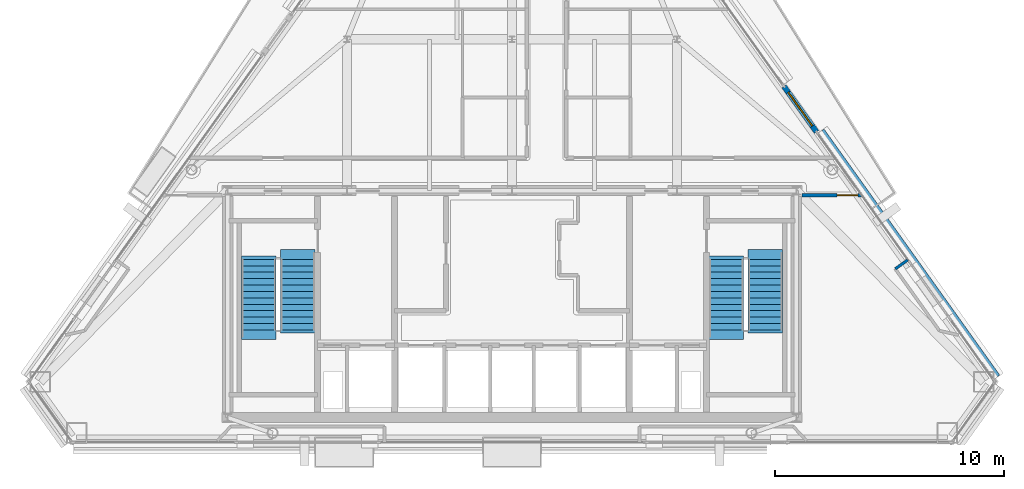
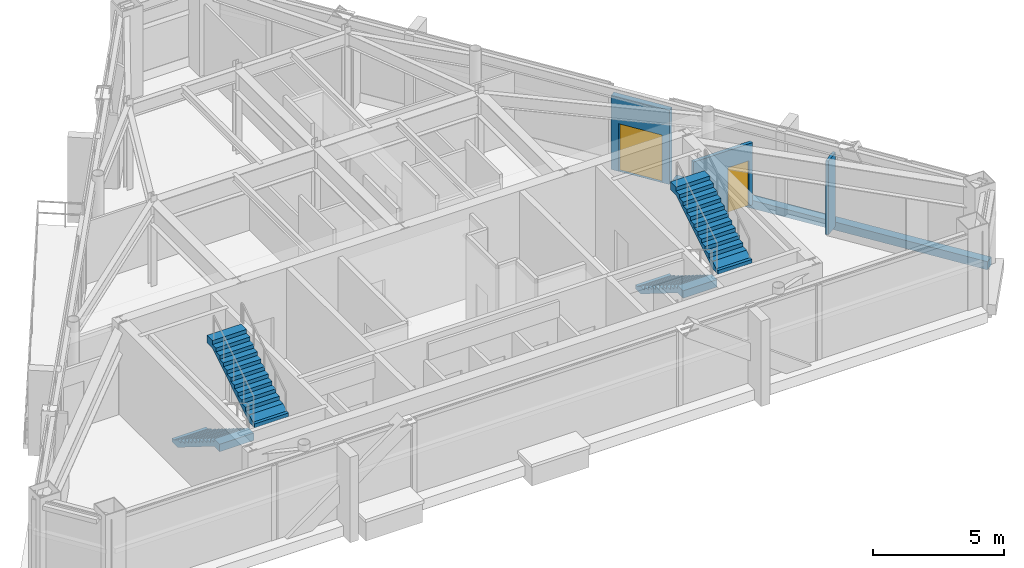
# One storey, part 10 of 12: 4 stair flights, 4 walls, 2 doors, 2 openings, 2 elements without a shape of their own.
"""IFC4 building model written with IfcOpenShell, lengths in metres."""

from ifc_helpers import new_model, si_unit, direction, frame, frame_2d, origin, place, context, subcontext, project, spatial, polyline, rectangle, outline, extrude, material, layer, layer_set, type_object, element, fill, aggregate, save


model = new_model("IFC4")

# Units and contexts
model_context = context("Model", 3, precision=1e-05, world=origin(), true_north=direction((0.0, 1.0)))
body_context = subcontext(model_context, "Body", "Model", "MODEL_VIEW")
ifc_project = project(units=[si_unit("LENGTHUNIT", "METRE"), si_unit("AREAUNIT", "SQUARE_METRE"), si_unit("VOLUMEUNIT", "CUBIC_METRE"), si_unit("PLANEANGLEUNIT", "RADIAN"), si_unit("MASSUNIT", "GRAM", prefix="KILO")], contexts=[model_context])

# Site, building, storey
site_placement = place(None, origin())
site = spatial("IfcSite", under=ifc_project, at=site_placement, CompositionType="ELEMENT")
building_placement = place(site_placement, origin())
building = spatial("IfcBuilding", under=site, at=building_placement, Name="Talgorran Terracotta Tower", CompositionType="ELEMENT")
storey_placement = place(building_placement, frame((0.0, 0.0, 285.0)))
storey = spatial("IfcBuildingStorey", under=building, at=storey_placement, Name="L75", CompositionType="ELEMENT", Elevation=285.0)

# Wall, opening, door
ifc_material_1 = material(Name="Concrete C40/50", Category="concrete")
ifc_layer_1 = layer(ifc_material_1, 0.239990234375, Name="WT_BALCONY_SPAND")
ifc_layer_set_1 = layer_set([ifc_layer_1], Name="Concrete C40/50")
wall_type_1 = type_object("IfcWallType", Name="WT_BALCONY_SPAND", PredefinedType="STANDARD", material=ifc_layer_set_1)
wall_1_placement = place(storey_placement, frame((13.28369140625, -1.641845703125, -0.014892578125), z_axis=(0.0, 0.0, 1.0), x_axis=(-0.581266589652, 0.813713187649, 0.0)))
wall_1 = element("IfcWall", 1, at=wall_1_placement, inside=storey, type_object=wall_type_1, Name="WL-L75-BALP-BAL-NE", PredefinedType="STANDARD", context=body_context, shape_type="SweptSolid", body=[
    extrude(rectangle(XDim=2.43994140625, YDim=0.239990234375, at=frame_2d((1.219970703125, 0.0))), origin(), (0.0, 0.0, 1.0), 3.452880859375),
])
opening_1_placement = place(wall_1_placement, frame((0.320068359375, 0.0, 0.014892578125)))
opening_1 = element("IfcOpeningElement", 2, at=opening_1_placement, cuts=wall_1, Name="Opening D-BAL-L75-1", PredefinedType="OPENING", context=body_context, shape_type="SweptSolid", body=[
    extrude(rectangle(XDim=1.806048828125, YDim=2.203951171875, at=frame_2d((0.89990234375, 1.10205078125))), frame((0.0, 0.1298828125, 0.0), z_axis=(0.0, -1.0, 0.0), x_axis=(1.0, 0.0, 0.0)), (0.0, 0.0, 1.0), 0.260009765625),
])
ifc_material_2 = material(Name="Thermally Broken Aluminium", Category="aluminium")
door_type_1 = type_object("IfcDoorType", Name="DT_BALC_1800", OperationType="SLIDING_TO_LEFT", PredefinedType="DOOR", material=ifc_material_2)
door_1_placement = place(opening_1_placement, origin())
door_1 = element("IfcDoor", 3, at=door_1_placement, inside=storey, type_object=door_type_1, Name="DR-L75-BAL-BAL-NE", OperationType="SLIDING_TO_LEFT", OverallHeight=2.199951171875, OverallWidth=1.800048828125, PredefinedType="DOOR", context=body_context, shape_type="SweptSolid", body=[
    extrude(rectangle(XDim=1.800048828125, YDim=2.199951171875, at=frame_2d((0.89990234375, 1.10009765625))), frame((0.0, 0.02490234375, 0.0), z_axis=(0.0, -1.0, 0.0), x_axis=(1.0, 0.0, 0.0)), (0.0, 0.0, 1.0), 0.050048828125),
])
fill(opening_1, door_1)

ifc_material_3 = material(Name="Fire-Rated Steel Stud Plasterboard", Category="steel")
ifc_layer_2 = layer(ifc_material_3, 0.14990234375, Name="WT_FIRE_150")
ifc_layer_set_2 = layer_set([ifc_layer_2], Name="Fire-Rated Steel Stud Plasterboard")
wall_type_2 = type_object("IfcWallType", Name="WT_FIRE_150", PredefinedType="PARTITIONING", material=ifc_layer_set_2)
wall_2_placement = place(storey_placement, frame((12.652099609375, -4.39990234375, 0.0), z_axis=(0.0, 0.0, 1.0), x_axis=(1.0, 0.0, 0.0)))
wall_2 = element("IfcWall", 4, at=wall_2_placement, inside=storey, type_object=wall_type_2, Name="WL-L75-W-L75-R02", PredefinedType="PARTITIONING", context=body_context, shape_type="SweptSolid", body=[
    extrude(rectangle(XDim=2.601806640625, YDim=0.14990234375, at=frame_2d((1.30078125, 0.0))), origin(), (0.0, 0.0, 1.0), 2.89501953125),
])
opening_2_placement = place(wall_2_placement, frame((1.528076171875, 0.0, 0.0)))
opening_2 = element("IfcOpeningElement", 5, at=opening_2_placement, cuts=wall_2, Name="Opening DR-L75-R02", PredefinedType="OPENING", context=body_context, shape_type="SweptSolid", body=[
    extrude(rectangle(XDim=0.90590234375, YDim=2.10409765625, at=frame_2d((0.449951171875, 1.052001953125))), frame((0.0, 0.0849609375, 0.0), z_axis=(0.0, -1.0, 0.0), x_axis=(1.0, 0.0, 0.0)), (0.0, 0.0, 1.0), 0.169921875),
])
ifc_material_4 = material(Name="Fire-Rated Timber Core", Category="wood")
door_type_2 = type_object("IfcDoorType", Name="DT_FIRE_900", OperationType="NOTDEFINED", PredefinedType="DOOR", material=ifc_material_4)
door_2_placement = place(opening_2_placement, origin())
door_2 = element("IfcDoor", 6, at=door_2_placement, inside=storey, type_object=door_type_2, Name="DR-L75-R02", OperationType="SINGLE_SWING_RIGHT", OverallHeight=2.10009765625, OverallWidth=0.89990234375, PredefinedType="DOOR", context=body_context, shape_type="SweptSolid", body=[
    extrude(rectangle(XDim=0.89990234375, YDim=2.10009765625, at=frame_2d((0.449951171875, 1.050048828125))), frame((0.0, 0.02490234375, 0.0), z_axis=(0.0, -1.0, 0.0), x_axis=(1.0, 0.0, 0.0)), (0.0, 0.0, 1.0), 0.050048828125),
])
fill(opening_2, door_2)

# Walls
ifc_layer_3 = layer(ifc_material_1, 0.219970703125, Name="WT_PARAPET_RC")
ifc_layer_set_3 = layer_set([ifc_layer_3], Name="Concrete C40/50")
wall_type_3 = type_object("IfcWallType", Name="WT_PARAPET_RC", PredefinedType="PARAPET", material=ifc_layer_set_3)
wall_3_placement = place(storey_placement, frame((21.130615234375, -12.352294921875, -0.199951171875), z_axis=(0.0, 0.0, 1.0), x_axis=(-0.581231188145, 0.813738475143, 0.0)))
element("IfcWall", 7, at=wall_3_placement, inside=storey, type_object=wall_type_3, Name="L75 Striped Portal Precast Cornice F40", PredefinedType="PARAPET", context=body_context, shape_type="SweptSolid", body=[
    extrude(rectangle(XDim=13.186279296875, YDim=0.360107421875, at=frame_2d((6.59326171875, 0.0))), origin(), (0.0, 0.0, 1.0), 0.3798828125),
])
ifc_material_5 = material(Name="Insulated Steel Stud Plasterboard", Category="steel")
ifc_layer_4 = layer(ifc_material_5, 0.1201171875, Name="WT_PART_120")
ifc_layer_set_4 = layer_set([ifc_layer_4], Name="Insulated Steel Stud Plasterboard")
wall_type_4 = type_object("IfcWallType", Name="WT_PART_120", PredefinedType="PARTITIONING", material=ifc_layer_set_4)
wall_4_placement = place(storey_placement, frame((16.715576171875, -7.615966796875, 0.0), z_axis=(0.0, 0.0, 1.0), x_axis=(0.813610304042, 0.581410589134, 0.0)))
element("IfcWall", 8, at=wall_4_placement, inside=storey, type_object=wall_type_4, Name="WL-L75-BW-L75-11", PredefinedType="PARTITIONING", context=body_context, shape_type="SweptSolid", body=[
    extrude(rectangle(XDim=0.669677734375, YDim=0.1201171875, at=frame_2d((0.3349609375, 0.0))), origin(), (0.0, 0.0, 1.0), 3.43798828125),
])

# Stair, stair flights
stair_type = type_object("IfcStairType", Name="ST_FIRE_SCISSOR", PredefinedType="HALF_TURN_STAIR", material=ifc_material_1)
stair_1_placement = place(storey_placement, origin())
stair_1 = element("IfcStair", 9, at=stair_1_placement, inside=storey, type_object=stair_type, Name="L75 West Protected Fire Stair ST-01", PredefinedType="HALF_TURN_STAIR")
ifc_layer_5 = layer(ifc_material_1, 0.179931640625, Name="STF_RC_1500")
ifc_layer_set_5 = layer_set([ifc_layer_5], Name="Concrete C40/50")
stair_flight_type = type_object("IfcStairFlightType", Name="STF_RC_1500", PredefinedType="STRAIGHT", material=ifc_layer_set_5)
stair_flight_1_placement = place(storey_placement, frame((-11.050048828125, -7.199951171875, 0.0), z_axis=(0.0, 0.0, 1.0), x_axis=(0.0, -1.0, 0.0)))
stair_flight_1 = element("IfcStairFlight", 10, at=stair_flight_1_placement, type_object=stair_flight_type, Name="ST-01 flight 1", NumberOfRisers=12, NumberOfTreads=11, PredefinedType="STRAIGHT", RiserHeight=0.175, TreadLength=0.28, context=body_context, shape_type="SweptSolid", body=[
    extrude(outline(polyline([(-0.139892578125, 0.0), (-0.139892578125, 0.175048828125), (0.0, 0.175048828125), (0.280029296875, 0.35009765625), (0.56005859375, 0.35009765625), (0.56005859375, 0.52490234375), (0.840087890625, 0.52490234375), (0.840087890625, 0.699951171875), (1.1201171875, 0.699951171875), (1.1201171875, 0.875), (1.39990234375, 0.875), (1.39990234375, 1.050048828125), (1.679931640625, 1.050048828125), (1.679931640625, 1.22509765625), (1.9599609375, 1.22509765625), (1.9599609375, 1.39990234375), (2.239990234375, 1.39990234375), (2.239990234375, 1.574951171875), (2.52001953125, 1.574951171875), (2.52001953125, 1.75), (2.800048828125, 1.75), (2.800048828125, 1.925048828125), (3.080078125, 1.925048828125), (3.080078125, 2.10009765625), (3.5, 2.10009765625), (3.5, 1.748291015625), (3.080078125, 1.748291015625), (0.28271484375, 0.0), (-0.139892578125, 0.0)])), frame((0.0, 0.75, 0.0), z_axis=(0.0, -1.0, 0.0), x_axis=(1.0, 0.0, 0.0)), (0.0, 0.0, 1.0), 1.5),
])
stair_flight_2_placement = place(storey_placement, frame((-9.35009765625, -10.280029296875, 2.10009765625), z_axis=(0.0, 0.0, 1.0), x_axis=(0.0, 1.0, 0.0)))
stair_flight_2 = element("IfcStairFlight", 11, at=stair_flight_2_placement, type_object=stair_flight_type, Name="ST-01 flight 2", NumberOfRisers=12, NumberOfTreads=11, PredefinedType="STRAIGHT", RiserHeight=0.175, TreadLength=0.28, context=body_context, shape_type="SweptSolid", body=[
    extrude(outline(polyline([(-0.139892578125, 0.0), (-0.139892578125, 0.175048828125), (0.0, 0.175048828125), (0.280029296875, 0.35009765625), (0.56005859375, 0.35009765625), (0.56005859375, 0.52490234375), (0.840087890625, 0.52490234375), (0.840087890625, 0.699951171875), (1.1201171875, 0.699951171875), (1.1201171875, 0.875), (1.39990234375, 0.875), (1.39990234375, 1.050048828125), (1.679931640625, 1.050048828125), (1.679931640625, 1.22509765625), (1.9599609375, 1.22509765625), (1.9599609375, 1.39990234375), (2.239990234375, 1.39990234375), (2.239990234375, 1.574951171875), (2.52001953125, 1.574951171875), (2.52001953125, 1.75), (2.800048828125, 1.75), (2.800048828125, 1.925048828125), (3.080078125, 1.925048828125), (3.080078125, 2.10009765625), (3.5, 2.10009765625), (3.5, 1.748291015625), (3.080078125, 1.748291015625), (0.28271484375, 0.0), (-0.139892578125, 0.0)])), frame((0.0, 0.75, 0.0), z_axis=(0.0, -1.0, 0.0), x_axis=(1.0, 0.0, 0.0)), (0.0, 0.0, 1.0), 1.5),
])
aggregate(stair_1, [stair_flight_1, stair_flight_2])

stair_2_placement = place(storey_placement, origin())
stair_2 = element("IfcStair", 12, at=stair_2_placement, inside=storey, type_object=stair_type, Name="L75 East Protected Fire Stair ST-02", PredefinedType="HALF_TURN_STAIR")
stair_flight_3_placement = place(storey_placement, frame((9.35009765625, -7.199951171875, 0.0), z_axis=(0.0, 0.0, 1.0), x_axis=(0.0, -1.0, 0.0)))
stair_flight_3 = element("IfcStairFlight", 13, at=stair_flight_3_placement, type_object=stair_flight_type, Name="ST-02 flight 1", NumberOfRisers=12, NumberOfTreads=11, PredefinedType="STRAIGHT", RiserHeight=0.175, TreadLength=0.28, context=body_context, shape_type="SweptSolid", body=[
    extrude(outline(polyline([(-0.139892578125, 0.0), (-0.139892578125, 0.175048828125), (0.0, 0.175048828125), (0.280029296875, 0.35009765625), (0.56005859375, 0.35009765625), (0.56005859375, 0.52490234375), (0.840087890625, 0.52490234375), (0.840087890625, 0.699951171875), (1.1201171875, 0.699951171875), (1.1201171875, 0.875), (1.39990234375, 0.875), (1.39990234375, 1.050048828125), (1.679931640625, 1.050048828125), (1.679931640625, 1.22509765625), (1.9599609375, 1.22509765625), (1.9599609375, 1.39990234375), (2.239990234375, 1.39990234375), (2.239990234375, 1.574951171875), (2.52001953125, 1.574951171875), (2.52001953125, 1.75), (2.800048828125, 1.75), (2.800048828125, 1.925048828125), (3.080078125, 1.925048828125), (3.080078125, 2.10009765625), (3.5, 2.10009765625), (3.5, 1.748291015625), (3.080078125, 1.748291015625), (0.28271484375, 0.0), (-0.139892578125, 0.0)])), frame((0.0, 0.75, 0.0), z_axis=(0.0, -1.0, 0.0), x_axis=(1.0, 0.0, 0.0)), (0.0, 0.0, 1.0), 1.5),
])
stair_flight_4_placement = place(storey_placement, frame((11.050048828125, -10.280029296875, 2.10009765625), z_axis=(0.0, 0.0, 1.0), x_axis=(0.0, 1.0, 0.0)))
stair_flight_4 = element("IfcStairFlight", 14, at=stair_flight_4_placement, type_object=stair_flight_type, Name="ST-02 flight 2", NumberOfRisers=12, NumberOfTreads=11, PredefinedType="STRAIGHT", RiserHeight=0.175, TreadLength=0.28, context=body_context, shape_type="SweptSolid", body=[
    extrude(outline(polyline([(-0.139892578125, 0.0), (-0.139892578125, 0.175048828125), (0.0, 0.175048828125), (0.280029296875, 0.35009765625), (0.56005859375, 0.35009765625), (0.56005859375, 0.52490234375), (0.840087890625, 0.52490234375), (0.840087890625, 0.699951171875), (1.1201171875, 0.699951171875), (1.1201171875, 0.875), (1.39990234375, 0.875), (1.39990234375, 1.050048828125), (1.679931640625, 1.050048828125), (1.679931640625, 1.22509765625), (1.9599609375, 1.22509765625), (1.9599609375, 1.39990234375), (2.239990234375, 1.39990234375), (2.239990234375, 1.574951171875), (2.52001953125, 1.574951171875), (2.52001953125, 1.75), (2.800048828125, 1.75), (2.800048828125, 1.925048828125), (3.080078125, 1.925048828125), (3.080078125, 2.10009765625), (3.5, 2.10009765625), (3.5, 1.748291015625), (3.080078125, 1.748291015625), (0.28271484375, 0.0), (-0.139892578125, 0.0)])), frame((0.0, 0.75, 0.0), z_axis=(0.0, -1.0, 0.0), x_axis=(1.0, 0.0, 0.0)), (0.0, 0.0, 1.0), 1.5),
])
aggregate(stair_2, [stair_flight_3, stair_flight_4])

save(model, "model.ifc")
